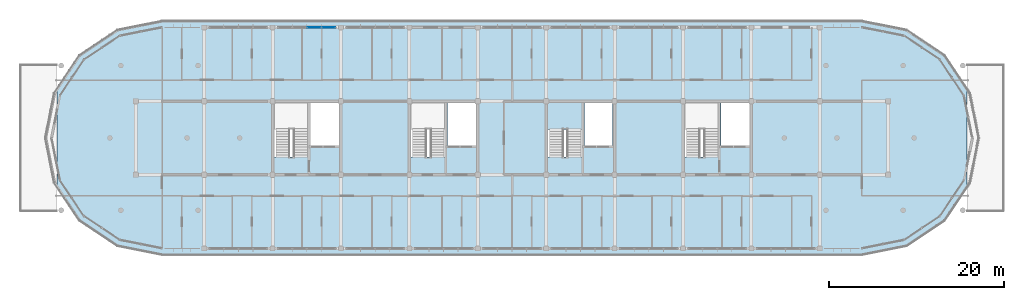
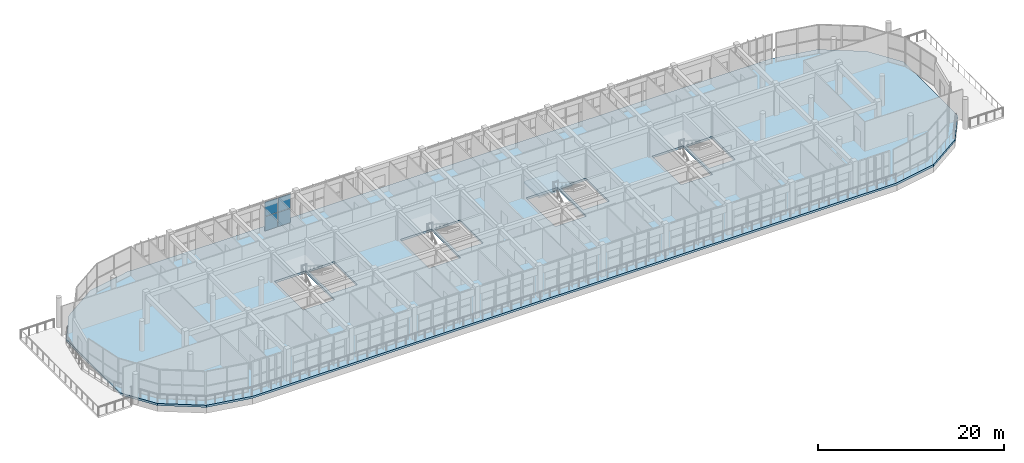
# One storey, part 41 of 56: 4 plates, 2 slabs, 2 elements without a shape of their own.
"""IFC4 building model written with IfcOpenShell, lengths in metres."""

from ifc_helpers import new_model, si_unit, direction, frame, origin, origin_2d, place, context, subcontext, project, spatial, polyline, rectangle, outline, extrude, material, layer, layer_set, type_object, element, aggregate, save


model = new_model("IFC4")

# Units and contexts
model_context = context("Model", 3, precision=1e-05, world=origin(), true_north=direction((0.0, 1.0)))
body_context = subcontext(model_context, "Body", "Model", "MODEL_VIEW")
ifc_project = project(units=[si_unit("LENGTHUNIT", "METRE"), si_unit("AREAUNIT", "SQUARE_METRE"), si_unit("VOLUMEUNIT", "CUBIC_METRE"), si_unit("PLANEANGLEUNIT", "RADIAN"), si_unit("MASSUNIT", "GRAM", prefix="KILO")], contexts=[model_context])

# Site, building, storey
site_placement = place(None, origin())
site = spatial("IfcSite", under=ifc_project, at=site_placement, CompositionType="ELEMENT")
building_placement = place(site_placement, origin())
building = spatial("IfcBuilding", under=site, at=building_placement, Name="Zizhar Promenade General Hospital", CompositionType="ELEMENT")
storey_placement = place(building_placement, frame((0.0, 0.0, 26.39990234375)))
storey = spatial("IfcBuildingStorey", under=building, at=storey_placement, Name="L06", CompositionType="ELEMENT", Elevation=26.39990234375)

# Curtain wall, plates
ifc_material_1 = material(Name="Anodised aluminium 6063-T6 and low-E glass", Category="aluminium")
ifc_layer_1 = layer(ifc_material_1, 0.159912109375)
ifc_layer_set_1 = layer_set([ifc_layer_1], Name="Anodised aluminium 6063-T6 and low-E glass")
curtain_wall_type = type_object("IfcCurtainWallType", Name="CW-WARD-RIB", PredefinedType="NOTDEFINED", material=ifc_layer_set_1)
curtain_wall_placement = place(storey_placement, origin())
curtain_wall = element("IfcCurtainWall", 1, at=curtain_wall_placement, inside=storey, type_object=curtain_wall_type, Name="Ward Ribbon Curtain Wall L06-8-2", PredefinedType="NOTDEFINED")
ifc_material_2 = material(Name="Low-E solar-control glass", Category="glass")
ifc_layer_2 = layer(ifc_material_2, 0.031982421875)
ifc_layer_set_2 = layer_set([ifc_layer_2], Name="Low-E solar-control glass")
plate_type = type_object("IfcPlateType", Name="CWP-GLZ-32", PredefinedType="CURTAIN_PANEL", material=ifc_layer_set_2)
plate_1_placement = place(storey_placement, frame((51.530029296875, 25.199951171875, 0.06005859375), z_axis=(0.0, 0.0, 1.0), x_axis=(1.0, 0.0, 0.0)))
plate_1 = element("IfcPlate", 2, at=plate_1_placement, type_object=plate_type, Name="CW-13 panel 3.1", PredefinedType="CURTAIN_PANEL", context=body_context, shape_type="SweptSolid", body=[
    extrude(rectangle(XDim=1.580078125, YDim=0.031982421875, at=origin_2d()), origin(), (0.0, 0.0, 1.0), 1.860107421875),
])
plate_2_placement = place(storey_placement, frame((51.530029296875, 25.199951171875, 1.97998046875), z_axis=(0.0, 0.0, 1.0), x_axis=(1.0, 0.0, 0.0)))
plate_2 = element("IfcPlate", 3, at=plate_2_placement, type_object=plate_type, Name="CW-13 panel 3.2", PredefinedType="CURTAIN_PANEL", context=body_context, shape_type="SweptSolid", body=[
    extrude(rectangle(XDim=1.580078125, YDim=0.031982421875, at=origin_2d()), origin(), (0.0, 0.0, 1.0), 1.860107421875),
])
plate_3_placement = place(storey_placement, frame((53.169921875, 25.199951171875, 0.06005859375), z_axis=(0.0, 0.0, 1.0), x_axis=(1.0, 0.0, 0.0)))
plate_3 = element("IfcPlate", 4, at=plate_3_placement, type_object=plate_type, Name="CW-13 panel 4.1", PredefinedType="CURTAIN_PANEL", context=body_context, shape_type="SweptSolid", body=[
    extrude(rectangle(XDim=1.5400390625, YDim=0.031982421875, at=origin_2d()), origin(), (0.0, 0.0, 1.0), 1.860107421875),
])
plate_4_placement = place(storey_placement, frame((53.169921875, 25.199951171875, 1.97998046875), z_axis=(0.0, 0.0, 1.0), x_axis=(1.0, 0.0, 0.0)))
plate_4 = element("IfcPlate", 5, at=plate_4_placement, type_object=plate_type, Name="CW-13 panel 4.2", PredefinedType="CURTAIN_PANEL", context=body_context, shape_type="SweptSolid", body=[
    extrude(rectangle(XDim=1.5400390625, YDim=0.031982421875, at=origin_2d()), origin(), (0.0, 0.0, 1.0), 1.860107421875),
])
aggregate(curtain_wall, [plate_1, plate_2, plate_3, plate_4])

# Slab
ifc_material_3 = material(Name="Concrete C35/45", Category="concrete")
ifc_layer_3 = layer(ifc_material_3, 0.280029296875)
ifc_layer_set_3 = layer_set([ifc_layer_3], Name="Concrete C35/45")
slab_type_1 = type_object("IfcSlabType", Name="SLB-FLR-280", PredefinedType="FLOOR", material=ifc_layer_set_3)
slab_1_placement = place(storey_placement, frame((0.0, 0.0, -0.27978515625)))
element("IfcSlab", 6, at=slab_1_placement, inside=storey, type_object=slab_type_1, Name="Level L06 Inpatient Ward Pillow Floor Slab", PredefinedType="FLOOR", context=body_context, shape_type="SweptSolid", body=[
    extrude(outline(polyline([(29.052978515625, 25.026123046875), (34.199951171875, 26.050048828125), (114.0, 26.050048828125), (119.147216796875, 25.026123046875), (123.510498046875, 22.110595703125), (125.97998046875, 18.414794921875), (125.97998046875, 6.78515625), (123.510498046875, 3.08935546875), (119.147216796875, 0.173828125), (114.0, -0.85009765625), (34.199951171875, -0.85009765625), (29.052978515625, 0.173828125), (24.689453125, 3.08935546875), (22.219970703125, 6.78515625), (22.219970703125, 18.414794921875), (24.689453125, 22.110595703125), (29.052978515625, 25.026123046875)]), holes=[polyline([(46.97998046875, 10.429931640625), (46.97998046875, 16.6201171875), (50.8798828125, 16.6201171875), (50.8798828125, 10.429931640625), (46.97998046875, 10.429931640625)]), polyline([(51.14990234375, 11.6201171875), (51.14990234375, 16.580078125), (54.3798828125, 16.580078125), (54.3798828125, 11.6201171875), (51.14990234375, 11.6201171875)]), polyline([(62.580078125, 10.429931640625), (62.580078125, 16.6201171875), (66.47998046875, 16.6201171875), (66.47998046875, 10.429931640625), (62.580078125, 10.429931640625)]), polyline([(66.75, 11.6201171875), (66.75, 16.580078125), (69.97998046875, 16.580078125), (69.97998046875, 11.6201171875), (66.75, 11.6201171875)]), polyline([(78.179931640625, 10.429931640625), (78.179931640625, 16.6201171875), (82.080078125, 16.6201171875), (82.080078125, 10.429931640625), (78.179931640625, 10.429931640625)]), polyline([(82.35009765625, 11.6201171875), (82.35009765625, 16.580078125), (85.580078125, 16.580078125), (85.580078125, 11.6201171875), (82.35009765625, 11.6201171875)]), polyline([(93.780029296875, 10.429931640625), (93.780029296875, 16.6201171875), (97.679931640625, 16.6201171875), (97.679931640625, 10.429931640625), (93.780029296875, 10.429931640625)]), polyline([(97.949951171875, 11.6201171875), (97.949951171875, 16.580078125), (101.179931640625, 16.580078125), (101.179931640625, 11.6201171875), (97.949951171875, 11.6201171875)])]), origin(), (0.0, 0.0, 1.0), 0.27978515625),
])

# Stair, slab
ifc_material_4 = material(Name="Concrete C35/45", Category="concrete")
stair_type = type_object("IfcStairType", Name="STR-DOG-420", PredefinedType="HALF_TURN_STAIR", material=ifc_material_4)
stair_placement = place(storey_placement, origin())
stair = element("IfcStair", 7, at=stair_placement, inside=storey, type_object=stair_type, Name="Exit Stair ST-04 (L06 to L07)", PredefinedType="HALF_TURN_STAIR")
ifc_material_5 = material(Name="Concrete C35/45", Category="concrete")
ifc_layer_4 = layer(ifc_material_5, 0.2099609375)
ifc_layer_set_4 = layer_set([ifc_layer_4], Name="Concrete C35/45")
slab_type_2 = type_object("IfcSlabType", Name="SLB-LAND-420", PredefinedType="LANDING", material=ifc_layer_set_4)
slab_2_placement = place(storey_placement, frame((0.0, 0.0, 1.89013671875)))
slab_2 = element("IfcSlab", 8, at=slab_2_placement, type_object=slab_type_2, Name="ST-04C landing 1", PredefinedType="LANDING", context=body_context, shape_type="SweptSolid", body=[
    extrude(outline(polyline([(78.0, 13.570068359375), (82.14990234375, 13.570068359375), (82.14990234375, 16.800048828125), (78.0, 16.800048828125), (78.0, 13.570068359375)])), origin(), (0.0, 0.0, 1.0), 0.2099609375),
])
aggregate(stair, [slab_2])

save(model, "model.ifc")
